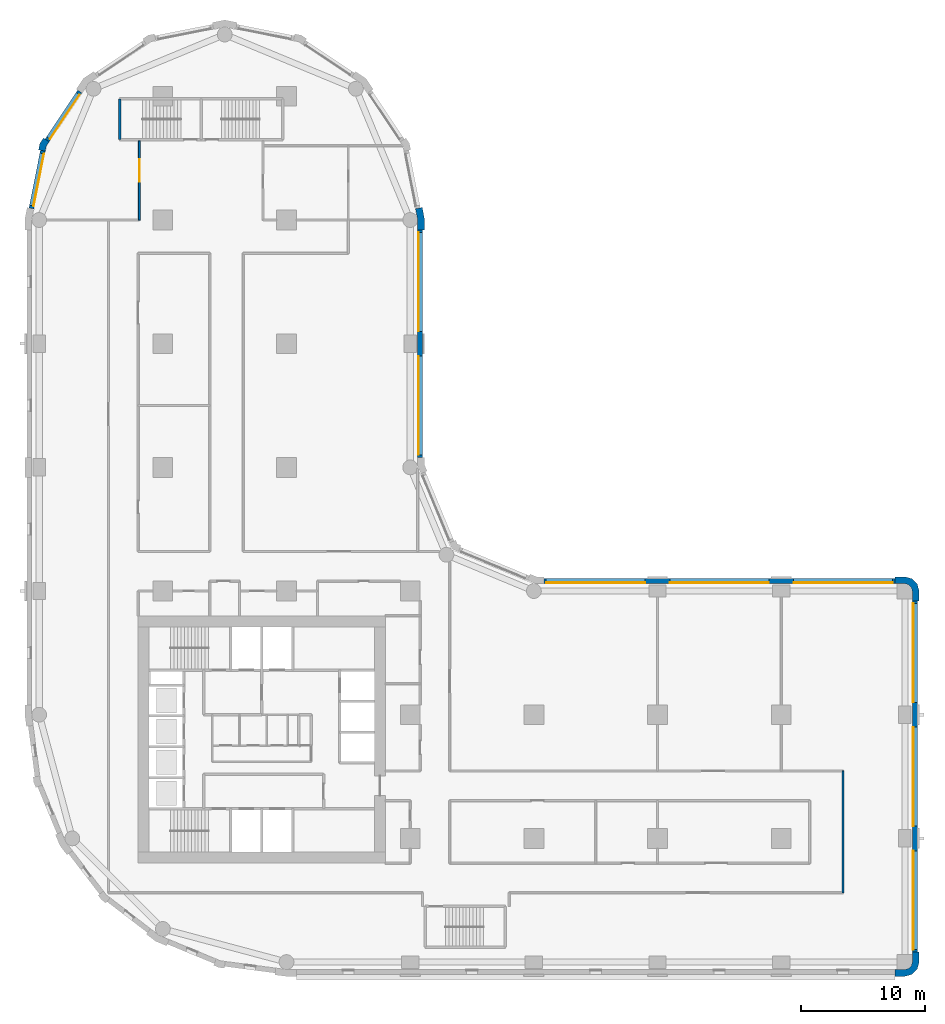
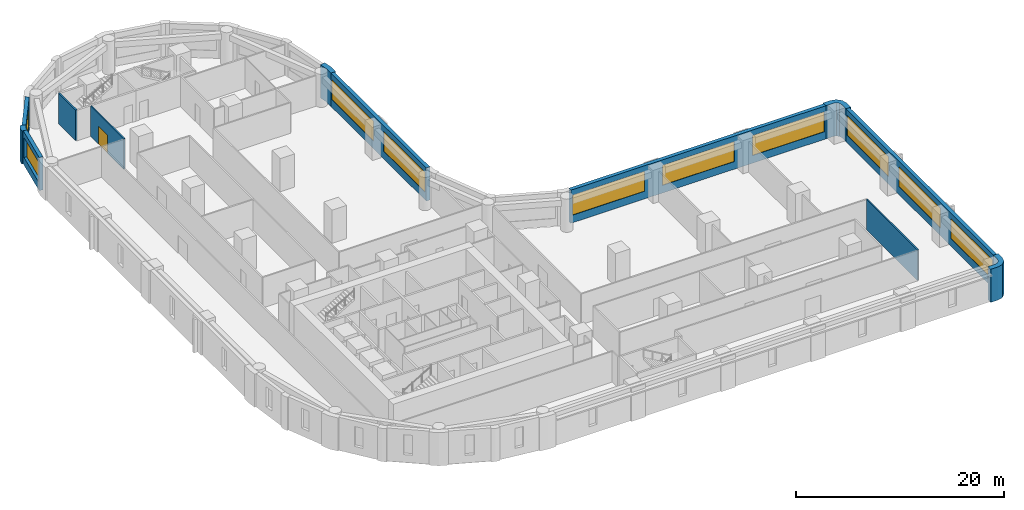
# One storey, part 6 of 10: 12 walls, 10 windows, 1 door, 11 openings.
"""IFC4 building model written with IfcOpenShell, lengths in metres."""

from ifc_helpers import new_model, si_unit, direction, frame, frame_2d, origin, place, context, subcontext, project, spatial, polyline, rectangle, outline, extrude, material, layer, layer_set, type_object, element, fill, save


model = new_model("IFC4")

# Units and contexts
model_context = context("Model", 3, precision=1e-05, world=origin(), true_north=direction((0.0, 1.0)))
body_context = subcontext(model_context, "Body", "Model", "MODEL_VIEW")
ifc_project = project(units=[si_unit("LENGTHUNIT", "METRE"), si_unit("AREAUNIT", "SQUARE_METRE"), si_unit("VOLUMEUNIT", "CUBIC_METRE"), si_unit("PLANEANGLEUNIT", "RADIAN"), si_unit("MASSUNIT", "GRAM", prefix="KILO")], contexts=[model_context])

# Site, building, storey
site_placement = place(None, origin())
site = spatial("IfcSite", under=ifc_project, at=site_placement, CompositionType="ELEMENT")
building_placement = place(site_placement, origin())
building = spatial("IfcBuilding", under=site, at=building_placement, Name="Qaws Garden Tower", CompositionType="ELEMENT")
storey_placement = place(building_placement, frame((0.0, 0.0, 39.300048828125)))
storey = spatial("IfcBuildingStorey", under=building, at=storey_placement, Name="L09", CompositionType="ELEMENT", Elevation=39.300048828125)

# Walls
ifc_material_1 = material(Name="Clay facing brick masonry", Category="masonry")
ifc_layer_1 = layer(ifc_material_1, 0.550048828125)
ifc_layer_set_1 = layer_set([ifc_layer_1], Name="Clay facing brick masonry")
wall_type_1 = type_object("IfcWallType", Name="Brick corner pier 550 x 2400", PredefinedType="SOLIDWALL", material=ifc_layer_set_1)
placement = place(storey_placement, origin())
element("IfcWall", 1, at=placement, inside=storey, type_object=wall_type_1, Name="E-L09-pier-05", PredefinedType="SOLIDWALL", context=body_context, shape_type="SweptSolid", body=[
    extrude(outline(polyline([(69.199951171875, -1.0), (69.199951171875, -1.14990234375), (70.0, -1.14990234375), (70.574951171875, -0.995849609375), (70.995849609375, -0.574951171875), (71.14990234375, 0.0), (71.14990234375, 0.800048828125), (71.0, 0.800048828125), (70.60009765625, 0.800048828125), (70.60009765625, 0.0), (70.51953125, -0.300048828125), (70.300048828125, -0.51953125), (70.0, -0.60009765625), (69.199951171875, -0.60009765625), (69.199951171875, -1.0)])), origin(), (0.0, 0.0, 1.0), 3.89990234375),
])
element("IfcWall", 2, at=placement, inside=storey, type_object=wall_type_1, Name="E-L09-pier-08", PredefinedType="SOLIDWALL", context=body_context, shape_type="SweptSolid", body=[
    extrude(outline(polyline([(71.0, 29.199951171875), (71.14990234375, 29.199951171875), (71.14990234375, 30.0), (70.995849609375, 30.574951171875), (70.574951171875, 30.995849609375), (70.0, 31.14990234375), (69.199951171875, 31.14990234375), (69.199951171875, 31.0), (69.199951171875, 30.60009765625), (70.0, 30.60009765625), (70.300048828125, 30.51953125), (70.51953125, 30.300048828125), (70.60009765625, 30.0), (70.60009765625, 29.199951171875), (71.0, 29.199951171875)])), origin(), (0.0, 0.0, 1.0), 3.89990234375),
])

# Wall, openings, windows
ifc_material_2 = material(Name="Clay facing brick masonry", Category="masonry")
ifc_layer_2 = layer(ifc_material_2, 0.39990234375)
ifc_layer_set_2 = layer_set([ifc_layer_2], Name="Clay facing brick masonry")
wall_type_2 = type_object("IfcWallType", Name="Brick infill wall 400", PredefinedType="SOLIDWALL", material=ifc_layer_set_2)
wall_3_placement = place(storey_placement, frame((70.800048828125, 0.800048828125, 0.0), z_axis=(0.0, 0.0, 1.0), x_axis=(0.0, 1.0, 0.0)))
wall_3 = element("IfcWall", 3, at=wall_3_placement, inside=storey, type_object=wall_type_2, Name="E-L09-infill-05", PredefinedType="SOLIDWALL", context=body_context, shape_type="SweptSolid", body=[
    extrude(rectangle(XDim=28.39990234375, YDim=0.39990234375, at=frame_2d((14.199951171875, 0.0))), origin(), (0.0, 0.0, 1.0), 3.89990234375),
])
opening_1_placement = place(wall_3_placement, frame((0.199951171875, 0.0, 0.89990234375)))
opening_1 = element("IfcOpeningElement", 4, at=opening_1_placement, cuts=wall_3, Name="Opening W01", PredefinedType="OPENING", context=body_context, shape_type="SweptSolid", body=[
    extrude(rectangle(XDim=8.0, YDim=2.35009765625, at=frame_2d((4.0, 1.175048828125))), frame((0.0, 0.2099609375, 0.0), z_axis=(0.0, -1.0, 0.0), x_axis=(1.0, 0.0, 0.0)), (0.0, 0.0, 1.0), 0.419921875),
])
opening_2_placement = place(wall_3_placement, frame((10.199951171875, 0.0, 0.89990234375)))
opening_2 = element("IfcOpeningElement", 5, at=opening_2_placement, cuts=wall_3, Name="Opening W01", PredefinedType="OPENING", context=body_context, shape_type="SweptSolid", body=[
    extrude(rectangle(XDim=8.0, YDim=2.35009765625, at=frame_2d((4.0, 1.175048828125))), frame((0.0, 0.2099609375, 0.0), z_axis=(0.0, -1.0, 0.0), x_axis=(1.0, 0.0, 0.0)), (0.0, 0.0, 1.0), 0.419921875),
])
opening_3_placement = place(wall_3_placement, frame((20.199951171875, 0.0, 0.89990234375)))
opening_3 = element("IfcOpeningElement", 6, at=opening_3_placement, cuts=wall_3, Name="Opening W01", PredefinedType="OPENING", context=body_context, shape_type="SweptSolid", body=[
    extrude(rectangle(XDim=8.0, YDim=2.35009765625, at=frame_2d((4.0, 1.175048828125))), frame((0.0, 0.2099609375, 0.0), z_axis=(0.0, -1.0, 0.0), x_axis=(1.0, 0.0, 0.0)), (0.0, 0.0, 1.0), 0.419921875),
])
ifc_material_3 = material(Name="Aluminium framed window, clear glazing", Category="aluminium")
window_type_1 = type_object("IfcWindowType", Name="Ribbon window 8000 x 2350", PartitioningType="DOUBLE_PANEL_VERTICAL", PredefinedType="WINDOW", material=ifc_material_3)
window_1_placement = place(opening_1_placement, origin())
window_1 = element("IfcWindow", 7, at=window_1_placement, inside=storey, type_object=window_type_1, Name="E-L09-window-05-0", OverallHeight=2.35009765625, OverallWidth=8.0, PartitioningType="SINGLE_PANEL", PredefinedType="WINDOW", context=body_context, shape_type="SweptSolid", body=[
    extrude(rectangle(XDim=8.0, YDim=2.35009765625, at=frame_2d((4.0, 1.175048828125))), frame((0.0, 0.159912109375, 0.0), z_axis=(0.0, -1.0, 0.0), x_axis=(1.0, 0.0, 0.0)), (0.0, 0.0, 1.0), 0.06005859375),
])
fill(opening_1, window_1)
window_2_placement = place(opening_2_placement, origin())
window_2 = element("IfcWindow", 8, at=window_2_placement, inside=storey, type_object=window_type_1, Name="E-L09-window-06-0", OverallHeight=2.35009765625, OverallWidth=8.0, PartitioningType="SINGLE_PANEL", PredefinedType="WINDOW", context=body_context, shape_type="SweptSolid", body=[
    extrude(rectangle(XDim=8.0, YDim=2.35009765625, at=frame_2d((4.0, 1.175048828125))), frame((0.0, 0.159912109375, 0.0), z_axis=(0.0, -1.0, 0.0), x_axis=(1.0, 0.0, 0.0)), (0.0, 0.0, 1.0), 0.06005859375),
])
fill(opening_2, window_2)
window_3_placement = place(opening_3_placement, origin())
window_3 = element("IfcWindow", 9, at=window_3_placement, inside=storey, type_object=window_type_1, Name="E-L09-window-07-0", OverallHeight=2.35009765625, OverallWidth=8.0, PartitioningType="SINGLE_PANEL", PredefinedType="WINDOW", context=body_context, shape_type="SweptSolid", body=[
    extrude(rectangle(XDim=8.0, YDim=2.35009765625, at=frame_2d((4.0, 1.175048828125))), frame((0.0, 0.159912109375, 0.0), z_axis=(0.0, -1.0, 0.0), x_axis=(1.0, 0.0, 0.0)), (0.0, 0.0, 1.0), 0.06005859375),
])
fill(opening_3, window_3)

wall_4_placement = place(storey_placement, frame((69.199951171875, 30.800048828125, 0.0), z_axis=(0.0, 0.0, 1.0), x_axis=(-1.0, 0.0, 0.0)))
wall_4 = element("IfcWall", 10, at=wall_4_placement, inside=storey, type_object=wall_type_2, Name="E-L09-infill-08", PredefinedType="SOLIDWALL", context=body_context, shape_type="SweptSolid", body=[
    extrude(rectangle(XDim=28.39990234375, YDim=0.39990234375, at=frame_2d((14.199951171875, 0.0))), origin(), (0.0, 0.0, 1.0), 3.89990234375),
])
opening_4_placement = place(wall_4_placement, frame((0.199951171875, 0.0, 0.89990234375)))
opening_4 = element("IfcOpeningElement", 11, at=opening_4_placement, cuts=wall_4, Name="Opening W01", PredefinedType="OPENING", context=body_context, shape_type="SweptSolid", body=[
    extrude(rectangle(XDim=8.0, YDim=2.35009765625, at=frame_2d((4.0, 1.175048828125))), frame((0.0, 0.2099609375, 0.0), z_axis=(0.0, -1.0, 0.0), x_axis=(1.0, 0.0, 0.0)), (0.0, 0.0, 1.0), 0.419921875),
])
opening_5_placement = place(wall_4_placement, frame((10.199951171875, 0.0, 0.89990234375)))
opening_5 = element("IfcOpeningElement", 12, at=opening_5_placement, cuts=wall_4, Name="Opening W01", PredefinedType="OPENING", context=body_context, shape_type="SweptSolid", body=[
    extrude(rectangle(XDim=8.0, YDim=2.35009765625, at=frame_2d((4.0, 1.175048828125))), frame((0.0, 0.2099609375, 0.0), z_axis=(0.0, -1.0, 0.0), x_axis=(1.0, 0.0, 0.0)), (0.0, 0.0, 1.0), 0.419921875),
])
opening_6_placement = place(wall_4_placement, frame((20.199951171875, 0.0, 0.89990234375)))
opening_6 = element("IfcOpeningElement", 13, at=opening_6_placement, cuts=wall_4, Name="Opening W01", PredefinedType="OPENING", context=body_context, shape_type="SweptSolid", body=[
    extrude(rectangle(XDim=8.0, YDim=2.35009765625, at=frame_2d((4.0, 1.175048828125))), frame((0.0, 0.2099609375, 0.0), z_axis=(0.0, -1.0, 0.0), x_axis=(1.0, 0.0, 0.0)), (0.0, 0.0, 1.0), 0.419921875),
])
window_4_placement = place(opening_4_placement, origin())
window_4 = element("IfcWindow", 14, at=window_4_placement, inside=storey, type_object=window_type_1, Name="E-L09-window-08-0", OverallHeight=2.35009765625, OverallWidth=8.0, PartitioningType="SINGLE_PANEL", PredefinedType="WINDOW", context=body_context, shape_type="SweptSolid", body=[
    extrude(rectangle(XDim=8.0, YDim=2.35009765625, at=frame_2d((4.0, 1.175048828125))), frame((0.0, 0.159912109375, 0.0), z_axis=(0.0, -1.0, 0.0), x_axis=(1.0, 0.0, 0.0)), (0.0, 0.0, 1.0), 0.06005859375),
])
fill(opening_4, window_4)
window_5_placement = place(opening_5_placement, origin())
window_5 = element("IfcWindow", 15, at=window_5_placement, inside=storey, type_object=window_type_1, Name="E-L09-window-09-0", OverallHeight=2.35009765625, OverallWidth=8.0, PartitioningType="SINGLE_PANEL", PredefinedType="WINDOW", context=body_context, shape_type="SweptSolid", body=[
    extrude(rectangle(XDim=8.0, YDim=2.35009765625, at=frame_2d((4.0, 1.175048828125))), frame((0.0, 0.159912109375, 0.0), z_axis=(0.0, -1.0, 0.0), x_axis=(1.0, 0.0, 0.0)), (0.0, 0.0, 1.0), 0.06005859375),
])
fill(opening_5, window_5)
window_6_placement = place(opening_6_placement, origin())
window_6 = element("IfcWindow", 16, at=window_6_placement, inside=storey, type_object=window_type_1, Name="E-L09-window-10-0", OverallHeight=2.35009765625, OverallWidth=8.0, PartitioningType="SINGLE_PANEL", PredefinedType="WINDOW", context=body_context, shape_type="SweptSolid", body=[
    extrude(rectangle(XDim=8.0, YDim=2.35009765625, at=frame_2d((4.0, 1.175048828125))), frame((0.0, 0.159912109375, 0.0), z_axis=(0.0, -1.0, 0.0), x_axis=(1.0, 0.0, 0.0)), (0.0, 0.0, 1.0), 0.06005859375),
])
fill(opening_6, window_6)

wall_5_placement = place(storey_placement, frame((30.800048828125, 40.800048828125, 0.0), z_axis=(0.0, 0.0, 1.0), x_axis=(0.0, 1.0, 0.0)))
wall_5 = element("IfcWall", 17, at=wall_5_placement, inside=storey, type_object=wall_type_2, Name="E-L09-infill-13", PredefinedType="SOLIDWALL", context=body_context, shape_type="SweptSolid", body=[
    extrude(rectangle(XDim=18.39990234375, YDim=0.39990234375, at=frame_2d((9.199951171875, 0.0))), origin(), (0.0, 0.0, 1.0), 3.89990234375),
])
opening_7_placement = place(wall_5_placement, frame((0.199951171875, 0.0, 0.89990234375)))
opening_7 = element("IfcOpeningElement", 18, at=opening_7_placement, cuts=wall_5, Name="Opening W01", PredefinedType="OPENING", context=body_context, shape_type="SweptSolid", body=[
    extrude(rectangle(XDim=8.0, YDim=2.35009765625, at=frame_2d((4.0, 1.175048828125))), frame((0.0, 0.2099609375, 0.0), z_axis=(0.0, -1.0, 0.0), x_axis=(1.0, 0.0, 0.0)), (0.0, 0.0, 1.0), 0.419921875),
])
opening_8_placement = place(wall_5_placement, frame((10.199951171875, 0.0, 0.89990234375)))
opening_8 = element("IfcOpeningElement", 19, at=opening_8_placement, cuts=wall_5, Name="Opening W01", PredefinedType="OPENING", context=body_context, shape_type="SweptSolid", body=[
    extrude(rectangle(XDim=8.0, YDim=2.35009765625, at=frame_2d((4.0, 1.175048828125))), frame((0.0, 0.2099609375, 0.0), z_axis=(0.0, -1.0, 0.0), x_axis=(1.0, 0.0, 0.0)), (0.0, 0.0, 1.0), 0.419921875),
])
window_7_placement = place(opening_7_placement, origin())
window_7 = element("IfcWindow", 20, at=window_7_placement, inside=storey, type_object=window_type_1, Name="E-L09-window-13-0", OverallHeight=2.35009765625, OverallWidth=8.0, PartitioningType="SINGLE_PANEL", PredefinedType="WINDOW", context=body_context, shape_type="SweptSolid", body=[
    extrude(rectangle(XDim=8.0, YDim=2.35009765625, at=frame_2d((4.0, 1.175048828125))), frame((0.0, 0.159912109375, 0.0), z_axis=(0.0, -1.0, 0.0), x_axis=(1.0, 0.0, 0.0)), (0.0, 0.0, 1.0), 0.06005859375),
])
fill(opening_7, window_7)
window_8_placement = place(opening_8_placement, origin())
window_8 = element("IfcWindow", 21, at=window_8_placement, inside=storey, type_object=window_type_1, Name="E-L09-window-14-0", OverallHeight=2.35009765625, OverallWidth=8.0, PartitioningType="SINGLE_PANEL", PredefinedType="WINDOW", context=body_context, shape_type="SweptSolid", body=[
    extrude(rectangle(XDim=8.0, YDim=2.35009765625, at=frame_2d((4.0, 1.175048828125))), frame((0.0, 0.159912109375, 0.0), z_axis=(0.0, -1.0, 0.0), x_axis=(1.0, 0.0, 0.0)), (0.0, 0.0, 1.0), 0.06005859375),
])
fill(opening_8, window_8)

# Wall, opening, window
wall_6_placement = place(storey_placement, frame((3.28369140625, 70.385986328125, 0.0), z_axis=(0.0, 0.0, 1.0), x_axis=(-0.555541552266, -0.831488775454, 0.0)))
wall_6 = element("IfcWall", 22, at=wall_6_placement, inside=storey, type_object=wall_type_2, Name="E-L09-infill-21", PredefinedType="SOLIDWALL", context=body_context, shape_type="SweptSolid", body=[
    extrude(rectangle(XDim=4.752685546875, YDim=0.39990234375, at=frame_2d((2.37646484375, 0.0))), origin(), (0.0, 0.0, 1.0), 3.89990234375),
])
opening_9_placement = place(wall_6_placement, frame((0.226318359375, 0.0, 0.89990234375)))
opening_9 = element("IfcOpeningElement", 23, at=opening_9_placement, cuts=wall_6, Name="Opening W06", PredefinedType="OPENING", context=body_context, shape_type="SweptSolid", body=[
    extrude(rectangle(XDim=4.300048828125, YDim=2.35009765625, at=frame_2d((2.14990234375, 1.175048828125))), frame((0.0, 0.2099609375, 0.0), z_axis=(0.0, -1.0, 0.0), x_axis=(1.0, 0.0, 0.0)), (0.0, 0.0, 1.0), 0.419921875),
])
ifc_material_4 = material(Name="Aluminium framed window, clear glazing", Category="aluminium")
window_type_2 = type_object("IfcWindowType", Name="Ribbon window 4300 x 2350", PartitioningType="DOUBLE_PANEL_VERTICAL", PredefinedType="WINDOW", material=ifc_material_4)
window_9_placement = place(opening_9_placement, origin())
window_9 = element("IfcWindow", 24, at=window_9_placement, inside=storey, type_object=window_type_2, Name="E-L09-window-21-0", OverallHeight=2.35009765625, OverallWidth=4.300048828125, PartitioningType="SINGLE_PANEL", PredefinedType="WINDOW", context=body_context, shape_type="SweptSolid", body=[
    extrude(rectangle(XDim=4.300048828125, YDim=2.35009765625, at=frame_2d((2.14990234375, 1.175048828125))), frame((0.0, 0.159912109375, 0.0), z_axis=(0.0, -1.0, 0.0), x_axis=(1.0, 0.0, 0.0)), (0.0, 0.0, 1.0), 0.06005859375),
])
fill(opening_9, window_9)

wall_7_placement = place(storey_placement, frame((0.298583984375, 65.60205078125, 0.0), z_axis=(0.0, 0.0, 1.0), x_axis=(-0.195098533057, -0.98078364709, 0.0)))
wall_7 = element("IfcWall", 25, at=wall_7_placement, inside=storey, type_object=wall_type_2, Name="E-L09-infill-22", PredefinedType="SOLIDWALL", context=body_context, shape_type="SweptSolid", body=[
    extrude(rectangle(XDim=4.752685546875, YDim=0.39990234375, at=frame_2d((2.37646484375, 0.0))), origin(), (0.0, 0.0, 1.0), 3.89990234375),
])
opening_10_placement = place(wall_7_placement, frame((0.226318359375, 0.0, 0.89990234375)))
opening_10 = element("IfcOpeningElement", 26, at=opening_10_placement, cuts=wall_7, Name="Opening W06", PredefinedType="OPENING", context=body_context, shape_type="SweptSolid", body=[
    extrude(rectangle(XDim=4.300048828125, YDim=2.35009765625, at=frame_2d((2.14990234375, 1.175048828125))), frame((0.0, 0.2099609375, 0.0), z_axis=(0.0, -1.0, 0.0), x_axis=(1.0, 0.0, 0.0)), (0.0, 0.0, 1.0), 0.419921875),
])
window_10_placement = place(opening_10_placement, origin())
window_10 = element("IfcWindow", 27, at=window_10_placement, inside=storey, type_object=window_type_2, Name="E-L09-window-22-0", OverallHeight=2.35009765625, OverallWidth=4.300048828125, PartitioningType="SINGLE_PANEL", PredefinedType="WINDOW", context=body_context, shape_type="SweptSolid", body=[
    extrude(rectangle(XDim=4.300048828125, YDim=2.35009765625, at=frame_2d((2.14990234375, 1.175048828125))), frame((0.0, 0.159912109375, 0.0), z_axis=(0.0, -1.0, 0.0), x_axis=(1.0, 0.0, 0.0)), (0.0, 0.0, 1.0), 0.06005859375),
])
fill(opening_10, window_10)

# Walls
ifc_material_5 = material(Name="Clay facing brick masonry", Category="masonry")
ifc_layer_3 = layer(ifc_material_5, 0.550048828125)
ifc_layer_set_3 = layer_set([ifc_layer_3], Name="Clay facing brick masonry")
wall_type_3 = type_object("IfcWallType", Name="Brick kink pier 550 x 600", PredefinedType="SOLIDWALL", material=ifc_layer_set_3)
element("IfcWall", 28, at=placement, inside=storey, type_object=wall_type_3, Name="E-L09-pier-22", PredefinedType="SOLIDWALL", context=body_context, shape_type="SweptSolid", body=[
    extrude(outline(polyline([(0.47705078125, 66.545166015625), (0.352294921875, 66.628662109375), (0.05859375, 66.18896484375), (-0.044677734375, 65.67041015625), (0.1025390625, 65.64111328125), (0.494873046875, 65.56298828125), (0.57666015625, 65.974365234375), (0.8095703125, 66.322998046875), (0.47705078125, 66.545166015625)])), origin(), (0.0, 0.0, 1.0), 3.89990234375),
])
ifc_material_6 = material(Name="Clay facing brick masonry", Category="masonry")
ifc_layer_4 = layer(ifc_material_6, 0.550048828125)
ifc_layer_set_4 = layer_set([ifc_layer_4], Name="Clay facing brick masonry")
wall_type_4 = type_object("IfcWallType", Name="Brick pier 550 x 1600", PredefinedType="SOLIDWALL", material=ifc_layer_set_4)
element("IfcWall", 29, at=placement, inside=storey, type_object=wall_type_4, Name="E-L09-pier-15", PredefinedType="SOLIDWALL", context=body_context, shape_type="SweptSolid", body=[
    extrude(outline(polyline([(31.0, 59.199951171875), (31.14990234375, 59.199951171875), (31.14990234375, 60.11328125), (30.971923828125, 61.009033203125), (30.82470703125, 60.979736328125), (30.432373046875, 60.901611328125), (30.60009765625, 60.05908203125), (30.60009765625, 59.199951171875), (31.0, 59.199951171875)])), origin(), (0.0, 0.0, 1.0), 3.89990234375),
])
ifc_material_7 = material(Name="Concrete C80", Category="concrete")
ifc_layer_5 = layer(ifc_material_7, 0.199951171875)
ifc_layer_set_5 = layer_set([ifc_layer_5], Name="Concrete C80")
wall_type_5 = type_object("IfcWallType", Name="Core shaft wall 200 C80", PredefinedType="SHEAR", material=ifc_layer_set_5)
wall_10_placement = place(storey_placement, frame((6.5, 66.5, 0.0), z_axis=(0.0, 0.0, 1.0), x_axis=(0.0, 1.0, 0.0)))
element("IfcWall", 30, at=wall_10_placement, inside=storey, type_object=wall_type_5, Name="Shaft wall", PredefinedType="SHEAR", context=body_context, shape_type="SweptSolid", body=[
    extrude(rectangle(XDim=3.300048828125, YDim=0.199951171875, at=frame_2d((1.64990234375, 0.0))), origin(), (0.0, 0.0, 1.0), 3.579833984375),
])

# Wall, opening, door
ifc_material_8 = material(Name="Gypsum board partition")
ifc_layer_6 = layer(ifc_material_8, 0.14990234375)
ifc_layer_set_6 = layer_set([ifc_layer_6], Name="Gypsum board partition")
wall_type_6 = type_object("IfcWallType", Name="PARTITION 150 EI 60", PredefinedType="PARTITIONING", material=ifc_layer_set_6)
wall_11_placement = place(storey_placement, frame((8.10009765625, 60.0, 0.0), z_axis=(0.0, 0.0, 1.0), x_axis=(0.0, 1.0, 0.0)))
wall_11 = element("IfcWall", 31, at=wall_11_placement, inside=storey, type_object=wall_type_6, Name="O-L09-wall-005", PredefinedType="PARTITIONING", context=body_context, shape_type="SweptSolid", body=[
    extrude(rectangle(XDim=6.39990234375, YDim=0.14990234375, at=frame_2d((3.199951171875, 0.0))), origin(), (0.0, 0.0, 1.0), 3.579833984375),
])
opening_11_placement = place(wall_11_placement, frame((3.10009765625, 0.0, 0.0)))
opening_11 = element("IfcOpeningElement", 32, at=opening_11_placement, cuts=wall_11, Name="Opening A309", PredefinedType="OPENING", context=body_context, shape_type="SweptSolid", body=[
    extrude(rectangle(XDim=1.800048828125, YDim=2.10009765625, at=frame_2d((0.89990234375, 1.050048828125))), frame((0.0, 0.0849609375, 0.0), z_axis=(0.0, -1.0, 0.0), x_axis=(1.0, 0.0, 0.0)), (0.0, 0.0, 1.0), 0.169921875),
])
ifc_material_9 = material(Name="Timber door leaf", Category="wood")
door_type = type_object("IfcDoorType", Name="DOUBLE DOOR 1800 X 2100", OperationType="DOUBLE_DOOR_SINGLE_SWING", PredefinedType="DOOR", material=ifc_material_9)
door_placement = place(opening_11_placement, origin())
door = element("IfcDoor", 33, at=door_placement, inside=storey, type_object=door_type, Name="O-L09-door-009", OperationType="DOUBLE_DOOR_SINGLE_SWING", OverallHeight=2.10009765625, OverallWidth=1.800048828125, PredefinedType="DOOR", context=body_context, shape_type="SweptSolid", body=[
    extrude(rectangle(XDim=1.800048828125, YDim=2.10009765625, at=frame_2d((0.89990234375, 1.050048828125))), frame((0.0, 0.02490234375, 0.0), z_axis=(0.0, -1.0, 0.0), x_axis=(1.0, 0.0, 0.0)), (0.0, 0.0, 1.0), 0.050048828125),
])
fill(opening_11, door)

# Wall
wall_12_placement = place(storey_placement, frame((65.0, 5.60009765625, 0.0), z_axis=(0.0, 0.0, 1.0), x_axis=(0.0, 1.0, 0.0)))
element("IfcWall", 34, at=wall_12_placement, inside=storey, type_object=wall_type_6, Name="O-L09-wall-030", PredefinedType="PARTITIONING", context=body_context, shape_type="SweptSolid", body=[
    extrude(rectangle(XDim=9.849853515625, YDim=0.14990234375, at=frame_2d((4.9248046875, 0.0))), origin(), (0.0, 0.0, 1.0), 3.579833984375),
])

save(model, "model.ifc")
